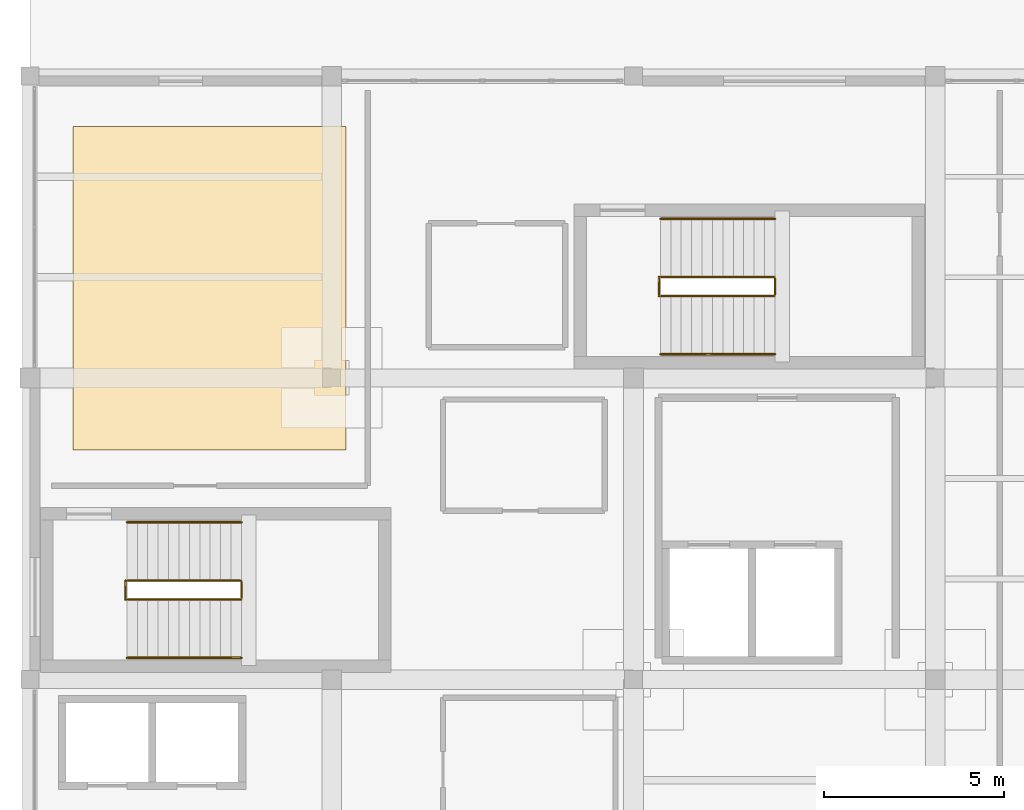
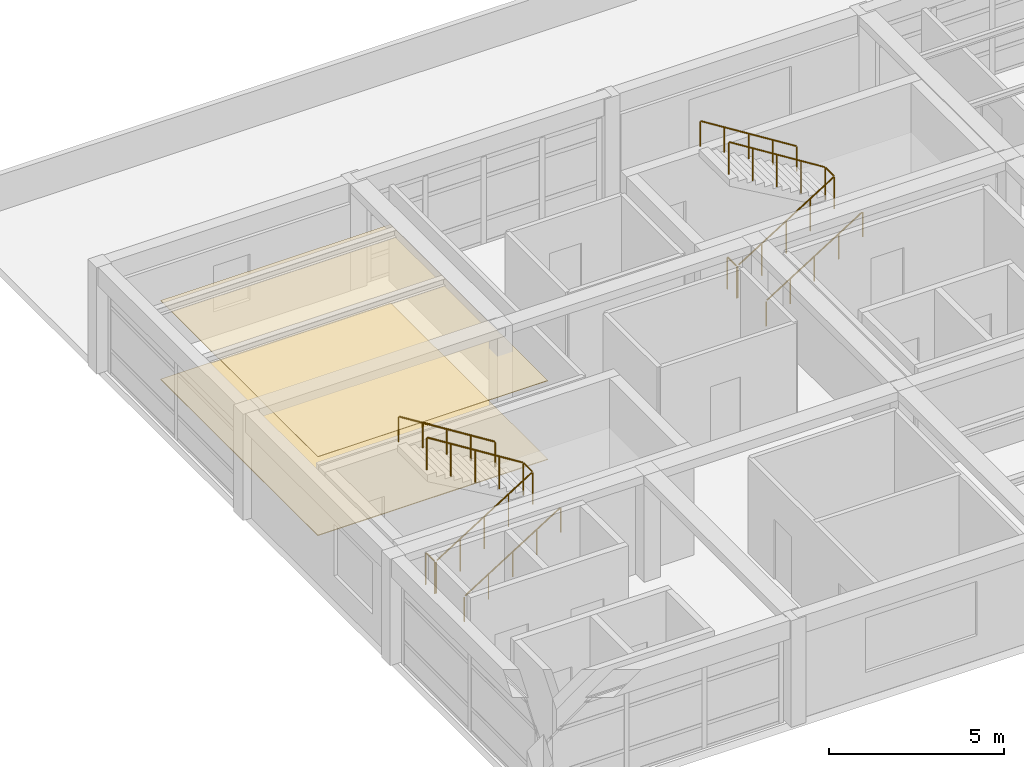
# One storey, part 22 of 22: 8 railings, 2 coverings.
"""IFC4 building model written with IfcOpenShell, lengths in metres."""

from ifc_helpers import new_model, si_unit, direction, frame, origin, origin_2d, place, context, subcontext, project, spatial, polyline, circle, outline, extrude, material, layer, layer_set, type_object, element, save


model = new_model("IFC4")

# Units and contexts
model_context = context("Model", 3, precision=1e-05, world=origin(), true_north=direction((0.0, 1.0)))
body_context = subcontext(model_context, "Body", "Model", "MODEL_VIEW")
ifc_project = project(units=[si_unit("LENGTHUNIT", "METRE"), si_unit("AREAUNIT", "SQUARE_METRE"), si_unit("VOLUMEUNIT", "CUBIC_METRE"), si_unit("PLANEANGLEUNIT", "RADIAN"), si_unit("MASSUNIT", "GRAM", prefix="KILO")], contexts=[model_context])

# Site, building, storey
site_placement = place(None, origin())
site = spatial("IfcSite", under=ifc_project, at=site_placement, CompositionType="ELEMENT")
building_placement = place(site_placement, origin())
building = spatial("IfcBuilding", under=site, at=building_placement, Name="Almacenes y Pasaje Nevantli", CompositionType="ELEMENT")
storey_placement = place(building_placement, frame((0.0, 0.0, 58.699951171875)))
storey = spatial("IfcBuildingStorey", under=building, at=storey_placement, Name="L14", CompositionType="ELEMENT", Elevation=58.699951171875)

# Coverings
ifc_material_1 = material(Name="Perforated Acoustic Mineral Fiber Ceiling", Category="gypsum")
ifc_layer_1 = layer(ifc_material_1, 0.02001953125)
ifc_layer_set_1 = layer_set([ifc_layer_1], Name="Perforated Acoustic Mineral Fiber Ceiling")
covering_type_1 = type_object("IfcCoveringType", Name="COV-CEIL-ACU", PredefinedType="CEILING", material=ifc_layer_set_1)
covering_1_placement = place(storey_placement, frame((0.0, 0.0, 2.75)))
element("IfcCovering", 1, at=covering_1_placement, inside=storey, type_object=covering_type_1, Name="L14 Suspended Acoustic Ceiling Panel", PredefinedType="CEILING", context=body_context, shape_type="SweptSolid", body=[
    extrude(outline(polyline([(118.800048828125, 82.0), (126.39990234375, 82.0), (126.39990234375, 91.0), (118.800048828125, 91.0), (118.800048828125, 82.0)])), origin(), (0.0, 0.0, 1.0), 0.02001953125),
])
ifc_material_2 = material(Name="Polished Toluca Stone Terrazzo Flooring", Category="masonry")
ifc_layer_2 = layer(ifc_material_2, 0.02490234375)
ifc_layer_set_2 = layer_set([ifc_layer_2], Name="Polished Toluca Stone Terrazzo Flooring")
covering_type_2 = type_object("IfcCoveringType", Name="COV-FLR-TERRAZZO", PredefinedType="FLOORING", material=ifc_layer_set_2)
covering_2_placement = place(storey_placement, origin())
element("IfcCovering", 2, at=covering_2_placement, inside=storey, type_object=covering_type_2, Name="L14 Polished Stone Terrazzo Floor Finish", PredefinedType="FLOORING", context=body_context, shape_type="SweptSolid", body=[
    extrude(outline(polyline([(118.800048828125, 82.0), (126.39990234375, 82.0), (126.39990234375, 91.0), (118.800048828125, 91.0), (118.800048828125, 82.0)])), origin(), (0.0, 0.0, 1.0), 0.025146484375),
])

# Railings
ifc_material_3 = material(Name="Brushed Stainless Steel and Tempered Safety Glass", Category="steel")
railing_type_1 = type_object("IfcRailingType", Name="RL-GUARD-1100", PredefinedType="BALUSTRADE", material=ifc_material_3)
railing_1_placement = place(storey_placement, frame((120.300048828125, 77.830078125, 0.0)))
element("IfcRailing", 3, at=railing_1_placement, inside=storey, type_object=railing_type_1, Name="L14 Stair ST-01 Inner Well Guard Balustrade", PredefinedType="BALUSTRADE", context=body_context, shape_type="SweptSolid", body=[
    extrude(circle(Radius=0.02392578125, at=origin_2d()), frame((0.025390625, 0.0, 1.141845703125), z_axis=(0.847247016309, 0.0, 0.531199108955), x_axis=(0.0, 1.0, 0.0)), (0.0, 0.0, 1.0), 3.705078125),
    extrude(circle(Radius=0.02392578125, at=origin_2d()), frame((3.18994140625, 0.030029296875, 3.1259765625), z_axis=(0.0, 1.0, 0.0), x_axis=(-1.0, 0.0, 0.0)), (0.0, 0.0, 1.0), 0.469970703125),
    extrude(circle(Radius=0.02392578125, at=origin_2d()), frame((3.16455078125, 0.530029296875, 3.141845703125), z_axis=(-0.847247016309, 0.0, 0.531199108955), x_axis=(0.0, -1.0, 0.0)), (0.0, 0.0, 1.0), 3.705078125),
    extrude(circle(Radius=0.02099609375, at=origin_2d()), origin(), (0.0, 0.0, 1.0), 1.096923828125),
    extrude(circle(Radius=0.02099609375, at=origin_2d()), frame((0.79736328125, 0.0, 0.5)), (0.0, 0.0, 1.0), 1.096923828125),
    extrude(circle(Radius=0.02099609375, at=origin_2d()), frame((1.594970703125, 0.0, 1.0)), (0.0, 0.0, 1.0), 1.096923828125),
    extrude(circle(Radius=0.02099609375, at=origin_2d()), frame((2.392578125, 0.0, 1.5)), (0.0, 0.0, 1.0), 1.096923828125),
    extrude(circle(Radius=0.02099609375, at=origin_2d()), frame((3.18994140625, 0.0, 2.0)), (0.0, 0.0, 1.0), 1.096923828125),
    extrude(circle(Radius=0.02099609375, at=origin_2d()), frame((3.18994140625, 0.530029296875, 2.0)), (0.0, 0.0, 1.0), 1.096923828125),
    extrude(circle(Radius=0.02099609375, at=origin_2d()), frame((2.392578125, 0.530029296875, 2.5)), (0.0, 0.0, 1.0), 1.096923828125),
    extrude(circle(Radius=0.02099609375, at=origin_2d()), frame((1.594970703125, 0.530029296875, 3.0)), (0.0, 0.0, 1.0), 1.096923828125),
    extrude(circle(Radius=0.02099609375, at=origin_2d()), frame((0.79736328125, 0.530029296875, 3.5)), (0.0, 0.0, 1.0), 1.096923828125),
    extrude(circle(Radius=0.02099609375, at=origin_2d()), frame((0.0, 0.530029296875, 4.0)), (0.0, 0.0, 1.0), 1.096923828125),
])
railing_2_placement = place(storey_placement, frame((120.260009765625, 77.830078125, 0.0)))
element("IfcRailing", 4, at=railing_2_placement, inside=storey, type_object=railing_type_1, Name="L14 Stair ST-01 Landing Well Slot Guard", PredefinedType="BALUSTRADE", context=body_context, shape_type="SweptSolid", body=[
    extrude(circle(Radius=0.02392578125, at=origin_2d()), frame((0.0, 0.030029296875, 1.1259765625), z_axis=(0.0, 1.0, 0.0), x_axis=(-1.0, 0.0, 0.0)), (0.0, 0.0, 1.0), 0.469970703125),
    extrude(circle(Radius=0.02099609375, at=origin_2d()), origin(), (0.0, 0.0, 1.0), 1.096923828125),
    extrude(circle(Radius=0.02099609375, at=origin_2d()), frame((0.0, 0.530029296875, 0.0)), (0.0, 0.0, 1.0), 1.096923828125),
])
railing_3_placement = place(storey_placement, frame((135.14990234375, 86.280029296875, 0.0)))
element("IfcRailing", 5, at=railing_3_placement, inside=storey, type_object=railing_type_1, Name="L14 Stair ST-02 Inner Well Guard Balustrade", PredefinedType="BALUSTRADE", context=body_context, shape_type="SweptSolid", body=[
    extrude(circle(Radius=0.02392578125, at=origin_2d()), frame((0.025390625, 0.0, 1.141845703125), z_axis=(0.847265311894, 0.0, 0.531169926918), x_axis=(0.0, 1.0, 0.0)), (0.0, 0.0, 1.0), 3.705322265625),
    extrude(circle(Radius=0.02392578125, at=origin_2d()), frame((3.190185546875, 0.030029296875, 3.1259765625), z_axis=(0.0, 1.0, 0.0), x_axis=(-1.0, 0.0, 0.0)), (0.0, 0.0, 1.0), 0.469970703125),
    extrude(circle(Radius=0.02392578125, at=origin_2d()), frame((3.164794921875, 0.530029296875, 3.141845703125), z_axis=(-0.847265311894, 0.0, 0.531169926918), x_axis=(0.0, -1.0, 0.0)), (0.0, 0.0, 1.0), 3.705322265625),
    extrude(circle(Radius=0.02099609375, at=origin_2d()), origin(), (0.0, 0.0, 1.0), 1.096923828125),
    extrude(circle(Radius=0.02099609375, at=origin_2d()), frame((0.797607421875, 0.0, 0.5)), (0.0, 0.0, 1.0), 1.096923828125),
    extrude(circle(Radius=0.02099609375, at=origin_2d()), frame((1.59521484375, 0.0, 1.0)), (0.0, 0.0, 1.0), 1.096923828125),
    extrude(circle(Radius=0.02099609375, at=origin_2d()), frame((2.392578125, 0.0, 1.5)), (0.0, 0.0, 1.0), 1.096923828125),
    extrude(circle(Radius=0.02099609375, at=origin_2d()), frame((3.190185546875, 0.0, 2.0)), (0.0, 0.0, 1.0), 1.096923828125),
    extrude(circle(Radius=0.02099609375, at=origin_2d()), frame((3.190185546875, 0.530029296875, 2.0)), (0.0, 0.0, 1.0), 1.096923828125),
    extrude(circle(Radius=0.02099609375, at=origin_2d()), frame((2.392578125, 0.530029296875, 2.5)), (0.0, 0.0, 1.0), 1.096923828125),
    extrude(circle(Radius=0.02099609375, at=origin_2d()), frame((1.59521484375, 0.530029296875, 3.0)), (0.0, 0.0, 1.0), 1.096923828125),
    extrude(circle(Radius=0.02099609375, at=origin_2d()), frame((0.797607421875, 0.530029296875, 3.5)), (0.0, 0.0, 1.0), 1.096923828125),
    extrude(circle(Radius=0.02099609375, at=origin_2d()), frame((0.0, 0.530029296875, 4.0)), (0.0, 0.0, 1.0), 1.096923828125),
])
railing_4_placement = place(storey_placement, frame((135.110107421875, 86.280029296875, 0.0)))
element("IfcRailing", 6, at=railing_4_placement, inside=storey, type_object=railing_type_1, Name="L14 Stair ST-02 Landing Well Slot Guard", PredefinedType="BALUSTRADE", context=body_context, shape_type="SweptSolid", body=[
    extrude(circle(Radius=0.02392578125, at=origin_2d()), frame((0.0, 0.030029296875, 1.1259765625), z_axis=(0.0, 1.0, 0.0), x_axis=(-1.0, 0.0, 0.0)), (0.0, 0.0, 1.0), 0.469970703125),
    extrude(circle(Radius=0.02099609375, at=origin_2d()), origin(), (0.0, 0.0, 1.0), 1.096923828125),
    extrude(circle(Radius=0.02099609375, at=origin_2d()), frame((0.0, 0.530029296875, 0.0)), (0.0, 0.0, 1.0), 1.096923828125),
])
ifc_material_4 = material(Name="Brushed Stainless Steel Tube", Category="steel")
railing_type_2 = type_object("IfcRailingType", Name="RL-HANDRAIL-900", PredefinedType="HANDRAIL", material=ifc_material_4)
railing_5_placement = place(storey_placement, frame((120.300048828125, 76.2099609375, 0.0)))
element("IfcRailing", 7, at=railing_5_placement, inside=storey, type_object=railing_type_2, Name="L14 Stair ST-01 Lower Flight Handrail", PredefinedType="HANDRAIL", context=body_context, shape_type="SweptSolid", body=[
    extrude(circle(Radius=0.02392578125, at=origin_2d()), frame((0.025390625, 0.0, 0.891845703125), z_axis=(0.847247016309, 0.0, 0.531199108955), x_axis=(0.0, 1.0, 0.0)), (0.0, 0.0, 1.0), 3.705078125),
    extrude(circle(Radius=0.02099609375, at=origin_2d()), origin(), (0.0, 0.0, 1.0), 0.846923828125),
    extrude(circle(Radius=0.02099609375, at=origin_2d()), frame((0.79736328125, 0.0, 0.5)), (0.0, 0.0, 1.0), 0.846923828125),
    extrude(circle(Radius=0.02099609375, at=origin_2d()), frame((1.594970703125, 0.0, 1.0)), (0.0, 0.0, 1.0), 0.846923828125),
    extrude(circle(Radius=0.02099609375, at=origin_2d()), frame((2.392578125, 0.0, 1.5)), (0.0, 0.0, 1.0), 0.846923828125),
    extrude(circle(Radius=0.02099609375, at=origin_2d()), frame((3.18994140625, 0.0, 2.0)), (0.0, 0.0, 1.0), 0.846923828125),
])
railing_6_placement = place(storey_placement, frame((123.489990234375, 79.97998046875, 2.0)))
element("IfcRailing", 8, at=railing_6_placement, inside=storey, type_object=railing_type_2, Name="L14 Stair ST-01 Upper Flight Handrail", PredefinedType="HANDRAIL", context=body_context, shape_type="SweptSolid", body=[
    extrude(circle(Radius=0.02392578125, at=origin_2d()), frame((-0.025390625, 0.0, 0.891845703125), z_axis=(-0.847247016309, 0.0, 0.531199108955), x_axis=(0.0, -1.0, 0.0)), (0.0, 0.0, 1.0), 3.705078125),
    extrude(circle(Radius=0.02099609375, at=origin_2d()), origin(), (0.0, 0.0, 1.0), 0.846923828125),
    extrude(circle(Radius=0.02099609375, at=origin_2d()), frame((-0.79736328125, 0.0, 0.5)), (0.0, 0.0, 1.0), 0.846923828125),
    extrude(circle(Radius=0.02099609375, at=origin_2d()), frame((-1.594970703125, 0.0, 1.0)), (0.0, 0.0, 1.0), 0.846923828125),
    extrude(circle(Radius=0.02099609375, at=origin_2d()), frame((-2.392578125, 0.0, 1.5)), (0.0, 0.0, 1.0), 0.846923828125),
    extrude(circle(Radius=0.02099609375, at=origin_2d()), frame((-3.18994140625, 0.0, 2.0)), (0.0, 0.0, 1.0), 0.846923828125),
])
railing_7_placement = place(storey_placement, frame((135.14990234375, 84.659912109375, 0.0)))
element("IfcRailing", 9, at=railing_7_placement, inside=storey, type_object=railing_type_2, Name="L14 Stair ST-02 Lower Flight Handrail", PredefinedType="HANDRAIL", context=body_context, shape_type="SweptSolid", body=[
    extrude(circle(Radius=0.02392578125, at=origin_2d()), frame((0.025390625, 0.0, 0.891845703125), z_axis=(0.847265311894, 0.0, 0.531169926918), x_axis=(0.0, 1.0, 0.0)), (0.0, 0.0, 1.0), 3.705322265625),
    extrude(circle(Radius=0.02099609375, at=origin_2d()), origin(), (0.0, 0.0, 1.0), 0.846923828125),
    extrude(circle(Radius=0.02099609375, at=origin_2d()), frame((0.797607421875, 0.0, 0.5)), (0.0, 0.0, 1.0), 0.846923828125),
    extrude(circle(Radius=0.02099609375, at=origin_2d()), frame((1.59521484375, 0.0, 1.0)), (0.0, 0.0, 1.0), 0.846923828125),
    extrude(circle(Radius=0.02099609375, at=origin_2d()), frame((2.392578125, 0.0, 1.5)), (0.0, 0.0, 1.0), 0.846923828125),
    extrude(circle(Radius=0.02099609375, at=origin_2d()), frame((3.190185546875, 0.0, 2.0)), (0.0, 0.0, 1.0), 0.846923828125),
])
railing_8_placement = place(storey_placement, frame((138.340087890625, 88.429931640625, 2.0)))
element("IfcRailing", 10, at=railing_8_placement, inside=storey, type_object=railing_type_2, Name="L14 Stair ST-02 Upper Flight Handrail", PredefinedType="HANDRAIL", context=body_context, shape_type="SweptSolid", body=[
    extrude(circle(Radius=0.02392578125, at=origin_2d()), frame((-0.025390625, 0.0, 0.891845703125), z_axis=(-0.847265311894, 0.0, 0.531169926918), x_axis=(0.0, -1.0, 0.0)), (0.0, 0.0, 1.0), 3.705322265625),
    extrude(circle(Radius=0.02099609375, at=origin_2d()), origin(), (0.0, 0.0, 1.0), 0.846923828125),
    extrude(circle(Radius=0.02099609375, at=origin_2d()), frame((-0.797607421875, 0.0, 0.5)), (0.0, 0.0, 1.0), 0.846923828125),
    extrude(circle(Radius=0.02099609375, at=origin_2d()), frame((-1.59521484375, 0.0, 1.0)), (0.0, 0.0, 1.0), 0.846923828125),
    extrude(circle(Radius=0.02099609375, at=origin_2d()), frame((-2.392578125, 0.0, 1.5)), (0.0, 0.0, 1.0), 0.846923828125),
    extrude(circle(Radius=0.02099609375, at=origin_2d()), frame((-3.190185546875, 0.0, 2.0)), (0.0, 0.0, 1.0), 0.846923828125),
])

save(model, "model.ifc")
